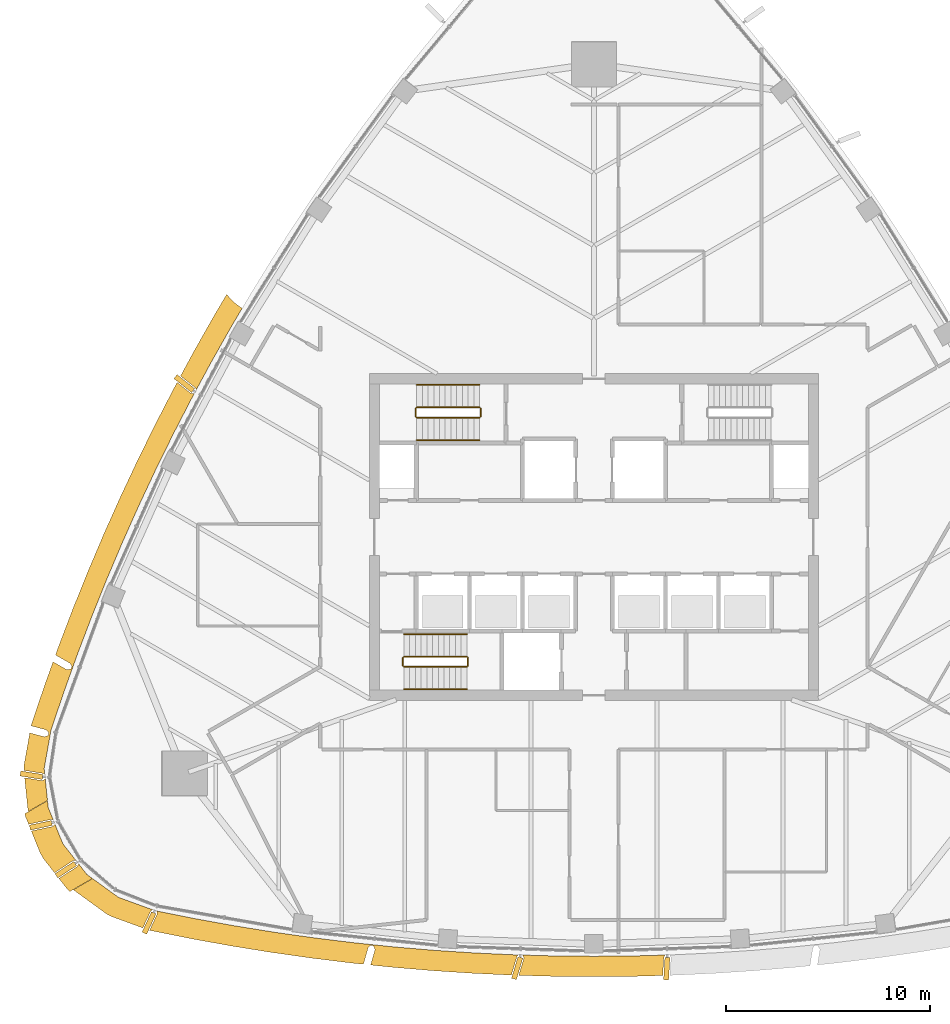
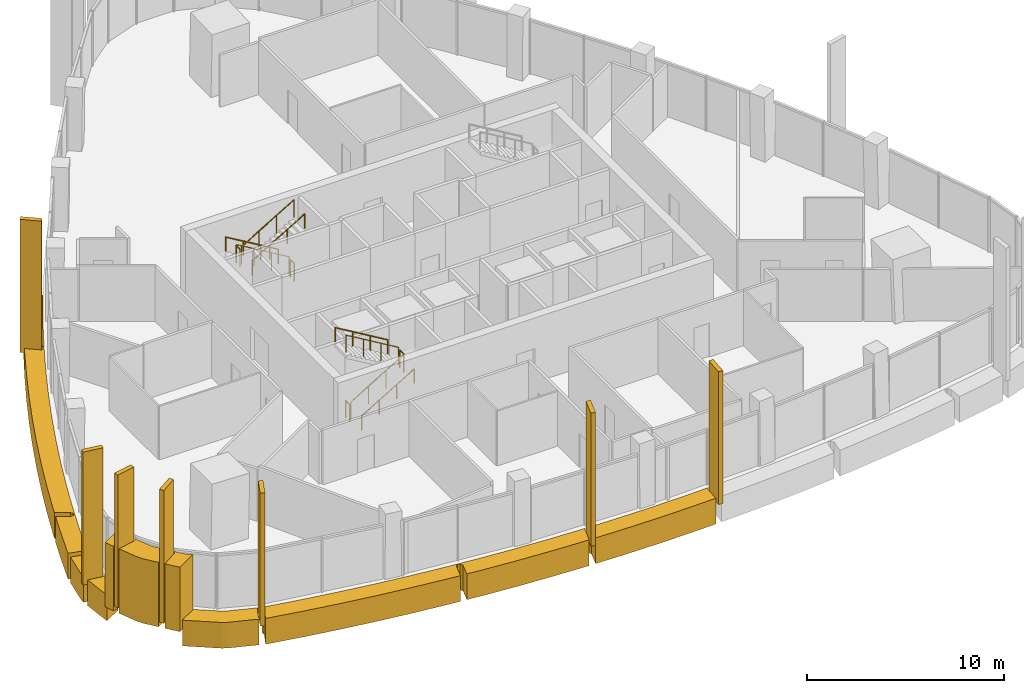
# One storey, part 16 of 19: 16 coverings, 12 railings.
"""IFC4 building model written with IfcOpenShell, lengths in metres."""

from ifc_helpers import new_model, si_unit, direction, frame, origin, origin_2d, place, context, subcontext, project, spatial, polyline, rectangle, circle, outline, extrude, material, layer, layer_set, material_profile, profile_set, type_object, element, save


model = new_model("IFC4")

# Units and contexts
model_context = context("Model", 3, precision=1e-05, world=origin(), true_north=direction((0.0, 1.0)))
body_context = subcontext(model_context, "Body", "Model", "MODEL_VIEW")
ifc_project = project(units=[si_unit("LENGTHUNIT", "METRE"), si_unit("AREAUNIT", "SQUARE_METRE"), si_unit("VOLUMEUNIT", "CUBIC_METRE"), si_unit("PLANEANGLEUNIT", "RADIAN"), si_unit("MASSUNIT", "GRAM", prefix="KILO")], contexts=[model_context])

# Site, building, storey
site_placement = place(None, origin())
site = spatial("IfcSite", under=ifc_project, at=site_placement, CompositionType="ELEMENT")
building_placement = place(site_placement, origin())
building = spatial("IfcBuilding", under=site, at=building_placement, Name="Sierra Prisma Convention Tower", CompositionType="ELEMENT")
storey_placement = place(building_placement, frame((0.0, 0.0, 311.0)))
storey = spatial("IfcBuildingStorey", under=building, at=storey_placement, Name="L71", CompositionType="ELEMENT", Elevation=311.0)

# Coverings
ifc_material_1 = material(Name="Aluminium composite bronze anodised", Category="aluminium")
ifc_layer_1 = layer(ifc_material_1, 1.199951171875)
ifc_layer_set_1 = layer_set([ifc_layer_1], Name="Bronze corner pier")
covering_type_1 = type_object("IfcCoveringType", Name="Bronze corner pier", PredefinedType="CLADDING", material=ifc_layer_set_1)
covering_1_placement = place(storey_placement, frame((0.0, 0.0, -0.60009765625)))
element("IfcCovering", 1, at=covering_1_placement, inside=storey, type_object=covering_type_1, Name="Corner pier SW L71.1", PredefinedType="CLADDING", context=body_context, shape_type="SweptSolid", body=[
    extrude(outline(polyline([(-27.11865234375, -15.463623046875), (-27.55078125, -14.392822265625), (-26.50830078125, -14.171630859375), (-26.503662109375, -14.17041015625), (-26.499267578125, -14.1689453125), (-26.4951171875, -14.1669921875), (-26.4912109375, -14.16455078125), (-26.4873046875, -14.161865234375), (-26.48388671875, -14.15869140625), (-26.480712890625, -14.1552734375), (-26.3935546875, -14.05419921875), (-26.005859375, -15.014404296875), (-25.37060546875, -15.826904296875), (-25.46826171875, -15.833251953125), (-25.473388671875, -15.833984375), (-25.478515625, -15.8349609375), (-25.4833984375, -15.836669921875), (-25.48779296875, -15.838623046875), (-25.492431640625, -15.84130859375), (-26.414306640625, -16.4404296875), (-26.951171875, -15.753662109375), (-27.11865234375, -15.463623046875)])), origin(), (0.0, 0.0, 1.0), 4.0),
])
covering_2_placement = place(storey_placement, frame((0.0, 0.0, -0.60009765625)))
element("IfcCovering", 2, at=covering_2_placement, inside=storey, type_object=covering_type_1, Name="Corner pier SW L71.2", PredefinedType="CLADDING", context=body_context, shape_type="SweptSolid", body=[
    extrude(outline(polyline([(-24.826904296875, -16.522216796875), (-24.556640625, -16.718017578125), (-25.66943359375, -17.360595703125), (-25.772216796875, -17.261474609375), (-26.19775390625, -16.71728515625), (-25.301513671875, -16.134765625), (-25.297607421875, -16.1318359375), (-25.293701171875, -16.12841796875), (-25.290283203125, -16.124755859375), (-25.287353515625, -16.12060546875), (-25.284912109375, -16.116455078125), (-25.28271484375, -16.11181640625), (-25.236083984375, -15.998779296875), (-24.826904296875, -16.522216796875)])), origin(), (0.0, 0.0, 1.0), 4.0),
])
covering_3_placement = place(storey_placement, frame((0.0, 0.0, -0.60009765625)))
element("IfcCovering", 3, at=covering_3_placement, inside=storey, type_object=covering_type_1, Name="Corner pier SW L71.3", PredefinedType="CLADDING", context=body_context, shape_type="SweptSolid", body=[
    extrude(outline(polyline([(-27.869384765625, -13.550048828125), (-26.756591796875, -12.90771484375), (-26.72216796875, -13.239501953125), (-26.475341796875, -13.851318359375), (-26.557861328125, -13.829833984375), (-26.5625, -13.828857421875), (-26.56689453125, -13.828369140625), (-26.571533203125, -13.828125), (-26.576416015625, -13.82861328125), (-26.580810546875, -13.8291015625), (-27.656982421875, -14.0576171875), (-27.66162109375, -14.058837890625), (-27.666259765625, -14.060546875), (-27.670654296875, -14.0625), (-27.6748046875, -14.065185546875), (-27.6787109375, -14.068115234375), (-27.680908203125, -14.0703125), (-27.8349609375, -13.688720703125), (-27.869384765625, -13.550048828125)])), origin(), (0.0, 0.0, 1.0), 4.0),
])
ifc_material_2 = material(Name="Aluminium 6063-T6 bronze anodised", Category="aluminium")
ifc_material_profile = material_profile(ifc_material_2, rectangle(XDim=1.10009765625, YDim=0.25, at=origin_2d()), Name="ALU FIN 1100x250")
ifc_profile_set = profile_set([ifc_material_profile], Name="Aluminium 6063-T6 bronze anodised")
covering_type_2 = type_object("IfcCoveringType", Name="Bronze facade fin", PredefinedType="CLADDING", material=ifc_profile_set)
for number, where, z_axis, x_axis, name in (
    (4, (-21.782470703125, -18.896484375, -0.300048828125), (0.0, 0.0, 1.0), (-0.420855200808, -0.907127829996, 0.0), "Fin L71.1"),
    (5, (-3.75732421875, -21.111083984375, -0.300048828125), (0.0, 0.0, 1.0), (-0.285991646595, -0.958232110753, 0.0), "Fin L71.8"),
    (6, (3.5673828125, -21.133056640625, -0.300048828125), (0.0, 0.0, 1.0), (-0.058990443947, -0.998258547433, 0.0), "Fin L71.11"),
    (7, (-20.057373046875, 7.515869140625, -0.300048828125), (0.0, 0.0, 1.0), (-0.783890001241, 0.620899722946, 0.0), "Fin L71.55"),
    (8, (-27.540771484375, -11.662109375, -0.300048828125), (0.0, 0.0, 1.0), (-0.987505161796, 0.157586660052, 0.0), "Fin L71.63"),
    (9, (-27.08251953125, -14.114501953125, -0.300048828125), (0.0, 0.0, 1.0), (-0.978228381219, -0.207531284816, 0.0), "Fin L71.64"),
    (10, (-25.858154296875, -16.287841796875, -0.300048828125), (0.0, 0.0, 1.0), (-0.838458700711, -0.544965143107, 0.0), "Fin L71.65"),
):
    element("IfcCovering", number, at=place(storey_placement, frame(where, z_axis=z_axis, x_axis=x_axis)), inside=storey, type_object=covering_type_2, Name=name, ObjectType="FIN", PredefinedType="CLADDING", context=body_context, shape_type="SweptSolid", body=[
        extrude(rectangle(XDim=1.10009765625, YDim=0.25, at=origin_2d()), origin(), (0.0, 0.0, 1.0), 8.25),
    ])
ifc_material_3 = material(Name="Aluminium composite bronze anodised", Category="aluminium")
ifc_layer_2 = layer(ifc_material_3, 1.0)
ifc_layer_set_2 = layer_set([ifc_layer_2], Name="Bronze spandrel band")
covering_type_3 = type_object("IfcCoveringType", Name="Bronze spandrel band", PredefinedType="CLADDING", material=ifc_layer_set_2)
covering_4_placement = place(storey_placement, frame((0.0, 0.0, -1.60009765625)))
element("IfcCovering", 11, at=covering_4_placement, inside=storey, type_object=covering_type_3, Name="Spandrel band L71.1", PredefinedType="CLADDING", context=body_context, shape_type="SweptSolid", body=[
    extrude(outline(polyline([(-26.7177734375, -9.693115234375), (-26.716552734375, -9.688232421875), (-26.698974609375, -9.58984375), (-26.698486328125, -9.585205078125), (-26.6982421875, -9.580078125), (-26.698486328125, -9.575439453125), (-26.699462890625, -9.570556640625), (-26.70068359375, -9.56591796875), (-26.702392578125, -9.561279296875), (-26.70458984375, -9.556884765625), (-26.70703125, -9.552978515625), (-26.7099609375, -9.549072265625), (-26.71337890625, -9.54541015625), (-26.8076171875, -9.452880859375), (-26.811279296875, -9.449462890625), (-26.8154296875, -9.446533203125), (-26.820068359375, -9.444091796875), (-26.82470703125, -9.44189453125), (-26.82958984375, -9.440185546875), (-27.559814453125, -9.242919921875), (-27.53125, -9.131591796875), (-26.901611328125, -7.2685546875), (-26.8955078125, -7.250732421875), (-26.485595703125, -6.10888671875), (-25.831787109375, -6.48291015625), (-25.82763671875, -6.485107421875), (-25.823486328125, -6.48681640625), (-25.81884765625, -6.488037109375), (-25.814453125, -6.489013671875), (-25.809814453125, -6.489501953125), (-25.80517578125, -6.489501953125), (-25.800537109375, -6.489013671875), (-25.642333984375, -6.46826171875), (-25.637451171875, -6.46728515625), (-25.6328125, -6.4658203125), (-25.628173828125, -6.464111328125), (-25.623779296875, -6.461669921875), (-25.619384765625, -6.458984375), (-25.615478515625, -6.455810546875), (-25.612060546875, -6.452392578125), (-25.60888671875, -6.448486328125), (-25.606201171875, -6.444580078125), (-25.603759765625, -6.440185546875), (-25.601806640625, -6.435546875), (-25.568115234375, -6.34130859375), (-25.566650390625, -6.33642578125), (-25.565673828125, -6.331298828125), (-25.565185546875, -6.326171875), (-25.565185546875, -6.321044921875), (-25.56591796875, -6.31591796875), (-25.56689453125, -6.310791015625), (-25.568603515625, -6.305908203125), (-25.57080078125, -6.30126953125), (-25.573486328125, -6.296875), (-25.64111328125, -6.19482421875), (-25.64404296875, -6.19091796875), (-25.647216796875, -6.1875), (-25.650390625, -6.184326171875), (-25.654296875, -6.181396484375), (-25.658203125, -6.178955078125), (-26.365478515625, -5.7744140625), (-26.23095703125, -5.39990234375), (-26.224365234375, -5.38232421875), (-25.525146484375, -3.54443359375), (-25.518310546875, -3.52685546875), (-24.784423828125, -1.702392578125), (-24.77734375, -1.68505859375), (-24.00927734375, 0.125244140625), (-24.001708984375, 0.142578125), (-23.199951171875, 1.93798828125), (-23.19189453125, 1.955078125), (-22.3564453125, 3.7353515625), (-22.348388671875, 3.752197265625), (-21.479248046875, 5.516357421875), (-21.470703125, 5.533203125), (-20.56884765625, 7.28076171875), (-20.56005859375, 7.29736328125), (-20.4111328125, 7.572998046875), (-19.73486328125, 7.037109375), (-19.731201171875, 7.034423828125), (-19.72705078125, 7.031982421875), (-19.722900390625, 7.0302734375), (-19.718505859375, 7.028564453125), (-19.714111328125, 7.02734375), (-19.70947265625, 7.026611328125), (-19.704833984375, 7.0263671875), (-19.571044921875, 7.023681640625), (-19.68017578125, 6.822021484375), (-20.582275390625, 5.074462890625), (-21.451171875, 3.310546875), (-22.286865234375, 1.5302734375), (-23.088623046875, -0.26513671875), (-23.856689453125, -2.075439453125), (-24.590576171875, -3.89990234375), (-25.289794921875, -5.738037109375), (-25.954345703125, -7.5888671875), (-26.583984375, -9.45166015625), (-26.919921875, -11.3359375), (-26.89013671875, -11.622802734375), (-26.95068359375, -11.58349609375), (-26.955322265625, -11.580810546875), (-26.960205078125, -11.57861328125), (-26.965087890625, -11.576904296875), (-26.97021484375, -11.575927734375), (-27.9140625, -11.42529296875), (-27.904541015625, -11.160400390625), (-27.6240234375, -9.588134765625), (-26.9208984375, -9.7783203125), (-26.916015625, -9.779296875), (-26.910888671875, -9.77978515625), (-26.906005859375, -9.77978515625), (-26.90087890625, -9.779296875), (-26.89599609375, -9.778564453125), (-26.89111328125, -9.777099609375), (-26.7490234375, -9.726806640625), (-26.74462890625, -9.724853515625), (-26.740478515625, -9.72265625), (-26.736572265625, -9.719970703125), (-26.732666015625, -9.717041015625), (-26.729248046875, -9.713623046875), (-26.726318359375, -9.7099609375), (-26.723388671875, -9.7060546875), (-26.72119140625, -9.701904296875), (-26.71923828125, -9.697509765625), (-26.7177734375, -9.693115234375)])), origin(), (0.0, 0.0, 1.0), 1.60009765625),
])
covering_5_placement = place(storey_placement, frame((0.0, 0.0, -1.60009765625)))
element("IfcCovering", 12, at=covering_5_placement, inside=storey, type_object=covering_type_3, Name="Spandrel band L71.2", PredefinedType="CLADDING", context=body_context, shape_type="SweptSolid", body=[
    extrude(outline(polyline([(-27.878662109375, -11.785400390625), (-27.025390625, -11.921630859375), (-27.0205078125, -11.922119140625), (-27.015380859375, -11.922119140625), (-27.010498046875, -11.921630859375), (-27.005615234375, -11.9208984375), (-27.000732421875, -11.91943359375), (-26.99609375, -11.91748046875), (-26.99169921875, -11.9150390625), (-26.867431640625, -11.8408203125), (-26.7578125, -12.896728515625), (-27.693603515625, -13.43701171875), (-27.716796875, -13.343017578125), (-27.878662109375, -11.785400390625)])), origin(), (0.0, 0.0, 1.0), 1.60009765625),
])
covering_6_placement = place(storey_placement, frame((0.0, 0.0, -1.60009765625)))
element("IfcCovering", 13, at=covering_6_placement, inside=storey, type_object=covering_type_3, Name="Spandrel band L71.3", PredefinedType="CLADDING", context=body_context, shape_type="SweptSolid", body=[
    extrude(outline(polyline([(-21.69775390625, -18.3076171875), (-21.701416015625, -18.31103515625), (-21.70458984375, -18.315185546875), (-21.70751953125, -18.3193359375), (-21.709716796875, -18.323974609375), (-22.087890625, -19.13916015625), (-23.617431640625, -18.585693359375), (-23.864013671875, -18.455078125), (-25.413818359375, -17.331787109375), (-25.4833984375, -17.264892578125), (-24.5478515625, -16.724609375), (-23.277099609375, -17.6455078125), (-21.6142578125, -18.2470703125), (-21.693603515625, -18.30419921875), (-21.69775390625, -18.3076171875)])), origin(), (0.0, 0.0, 1.0), 1.60009765625),
])
covering_7_placement = place(storey_placement, frame((0.0, 0.0, -1.60009765625)))
element("IfcCovering", 14, at=covering_7_placement, inside=storey, type_object=covering_type_3, Name="Spandrel band L71.4", PredefinedType="CLADDING", context=body_context, shape_type="SweptSolid", body=[
    extrude(outline(polyline([(-17.7783203125, 10.264404296875), (-18.745361328125, 8.552001953125), (-19.46728515625, 7.216064453125), (-19.503173828125, 7.29345703125), (-19.50537109375, 7.297607421875), (-19.5078125, 7.301513671875), (-19.5107421875, 7.30517578125), (-19.513916015625, 7.30859375), (-19.517578125, 7.3115234375), (-20.2421875, 7.885498046875), (-19.625244140625, 9.02734375), (-19.6162109375, 9.0439453125), (-18.64892578125, 10.756103515625), (-18.639404296875, 10.7724609375), (-17.98095703125, 11.888671875), (-17.849853515625, 11.7236328125), (-17.6787109375, 11.54638671875), (-17.490966796875, 11.386962890625), (-17.28857421875, 11.24658203125), (-17.222900390625, 11.20556640625), (-17.7783203125, 10.264404296875)])), origin(), (0.0, 0.0, 1.0), 1.60009765625),
])
covering_8_placement = place(storey_placement, frame((0.0, 0.0, -1.60009765625)))
element("IfcCovering", 15, at=covering_8_placement, inside=storey, type_object=covering_type_3, Name="Spandrel band L71.10", PredefinedType="CLADDING", context=body_context, shape_type="SweptSolid", body=[
    extrude(outline(polyline([(0.0, -20.528564453125), (1.96630859375, -20.510009765625), (3.486083984375, -20.467041015625), (3.43310546875, -20.549560546875), (3.4306640625, -20.553955078125), (3.428466796875, -20.55859375), (3.427001953125, -20.5634765625), (3.42578125, -20.568603515625), (3.42529296875, -20.573486328125), (3.372314453125, -21.470703125), (1.99462890625, -21.509765625), (1.975830078125, -21.510009765625), (0.009521484375, -21.528564453125), (-0.009521484375, -21.528564453125), (-1.975830078125, -21.510009765625), (-1.99462890625, -21.509765625), (-3.679443359375, -21.462158203125), (-3.432373046875, -20.634033203125), (-3.43115234375, -20.629150390625), (-3.430419921875, -20.624267578125), (-3.43017578125, -20.619384765625), (-3.430419921875, -20.6142578125), (-3.43115234375, -20.609375), (-3.4326171875, -20.6044921875), (-3.43408203125, -20.599853515625), (-3.491455078125, -20.467041015625), (-1.96630859375, -20.510009765625), (0.0, -20.528564453125)])), origin(), (0.0, 0.0, 1.0), 1.60009765625),
])
covering_9_placement = place(storey_placement, frame((0.0, 0.0, -1.60009765625)))
element("IfcCovering", 16, at=covering_9_placement, inside=storey, type_object=covering_type_3, Name="Spandrel band L71.11", PredefinedType="CLADDING", context=body_context, shape_type="SweptSolid", body=[
    extrude(outline(polyline([(-10.7900390625, -20.02734375), (-10.79345703125, -20.023681640625), (-10.797119140625, -20.020263671875), (-10.801025390625, -20.017333984375), (-10.80517578125, -20.0146484375), (-10.809814453125, -20.012451171875), (-10.814208984375, -20.0107421875), (-10.819091796875, -20.009521484375), (-10.82421875, -20.0087890625), (-10.923583984375, -19.99853515625), (-10.9287109375, -19.998291015625), (-10.933837890625, -19.99853515625), (-10.93896484375, -19.999267578125), (-10.944091796875, -20.00048828125), (-10.94873046875, -20.00244140625), (-10.953369140625, -20.004638671875), (-10.957763671875, -20.007568359375), (-10.9619140625, -20.0107421875), (-10.965576171875, -20.014404296875), (-11.04833984375, -20.1044921875), (-11.051513671875, -20.108154296875), (-11.053955078125, -20.112060546875), (-11.056396484375, -20.115966796875), (-11.05810546875, -20.120361328125), (-11.0595703125, -20.124755859375), (-11.286376953125, -20.9189453125), (-11.87744140625, -20.857421875), (-11.89599609375, -20.855224609375), (-13.847900390625, -20.615234375), (-13.86669921875, -20.61279296875), (-15.8134765625, -20.3359375), (-15.83203125, -20.333251953125), (-17.7734375, -20.02001953125), (-17.7919921875, -20.0166015625), (-19.727294921875, -19.666748046875), (-19.74560546875, -19.663330078125), (-21.673828125, -19.277099609375), (-21.755615234375, -19.254150390625), (-21.392333984375, -18.47119140625), (-21.390380859375, -18.466552734375), (-21.388916015625, -18.461669921875), (-21.38818359375, -18.456787109375), (-21.3876953125, -18.45166015625), (-21.3876953125, -18.446533203125), (-21.388427734375, -18.441650390625), (-21.4111328125, -18.309814453125), (-19.54931640625, -18.682861328125), (-17.614013671875, -19.03271484375), (-15.6728515625, -19.345947265625), (-13.725830078125, -19.622802734375), (-11.774169921875, -19.86279296875), (-9.818115234375, -20.066162109375), (-7.858642578125, -20.232421875), (-5.896484375, -20.362060546875), (-3.93212890625, -20.45458984375), (-3.710693359375, -20.460693359375), (-3.7578125, -20.515625), (-3.760986328125, -20.52001953125), (-3.763671875, -20.5244140625), (-3.765869140625, -20.529052734375), (-3.767578125, -20.533935546875), (-4.041259765625, -21.450439453125), (-5.943603515625, -21.36083984375), (-5.96240234375, -21.35986328125), (-7.924560546875, -21.230224609375), (-7.943359375, -21.22900390625), (-9.902587890625, -21.0625), (-9.92138671875, -21.060791015625), (-10.932861328125, -20.95556640625), (-10.72314453125, -20.220703125), (-10.721923828125, -20.21630859375), (-10.721435546875, -20.211669921875), (-10.72119140625, -20.20703125), (-10.721435546875, -20.202392578125), (-10.721923828125, -20.19775390625), (-10.72314453125, -20.193115234375), (-10.724609375, -20.188720703125), (-10.78271484375, -20.040283203125), (-10.78466796875, -20.035888671875), (-10.787109375, -20.031494140625), (-10.7900390625, -20.02734375)])), origin(), (0.0, 0.0, 1.0), 1.60009765625),
])

# Railings
ifc_material_4 = material(Name="Stainless steel", Category="steel")
railing_type_1 = type_object("IfcRailingType", Name="Exit stair handrail", PredefinedType="HANDRAIL", material=ifc_material_4)
railing_1_placement = place(storey_placement, frame((-9.300048828125, -7.449951171875, 0.166748046875)))
element("IfcRailing", 17, at=railing_1_placement, inside=storey, type_object=railing_type_1, Name="L71 S1 stair handrail 1", PredefinedType="HANDRAIL", context=body_context, shape_type="SweptSolid", body=[
    extrude(circle(Radius=0.02392578125, at=origin_2d()), frame((0.0, 0.0, 0.8759765625), z_axis=(0.859308565015, 0.0, 0.511457515432), x_axis=(0.0, 1.0, 0.0)), (0.0, 0.0, 1.0), 3.58447265625),
    extrude(circle(Radius=0.02099609375, at=origin_2d()), origin(), (0.0, 0.0, 1.0), 0.851806640625),
    extrude(circle(Radius=0.02099609375, at=origin_2d()), frame((1.026611328125, 0.0, 0.611083984375)), (0.0, 0.0, 1.0), 0.851806640625),
    extrude(circle(Radius=0.02099609375, at=origin_2d()), frame((2.053466796875, 0.0, 1.22216796875)), (0.0, 0.0, 1.0), 0.851806640625),
    extrude(circle(Radius=0.02099609375, at=origin_2d()), frame((3.080078125, 0.0, 1.833251953125)), (0.0, 0.0, 1.0), 0.851806640625),
])
railing_2_placement = place(storey_placement, frame((-6.219970703125, -4.75, 2.166748046875)))
element("IfcRailing", 18, at=railing_2_placement, inside=storey, type_object=railing_type_1, Name="L71 S1 stair handrail 2", PredefinedType="HANDRAIL", context=body_context, shape_type="SweptSolid", body=[
    extrude(circle(Radius=0.02392578125, at=origin_2d()), frame((0.0, 0.0, 0.8759765625), z_axis=(-0.859308565015, 0.0, 0.511457515432), x_axis=(0.0, -1.0, 0.0)), (0.0, 0.0, 1.0), 3.58447265625),
    extrude(circle(Radius=0.02099609375, at=origin_2d()), origin(), (0.0, 0.0, 1.0), 0.851806640625),
    extrude(circle(Radius=0.02099609375, at=origin_2d()), frame((-1.026611328125, 0.0, 0.611083984375)), (0.0, 0.0, 1.0), 0.851806640625),
    extrude(circle(Radius=0.02099609375, at=origin_2d()), frame((-2.053466796875, 0.0, 1.22216796875)), (0.0, 0.0, 1.0), 0.851806640625),
    extrude(circle(Radius=0.02099609375, at=origin_2d()), frame((-3.080078125, 0.0, 1.833251953125)), (0.0, 0.0, 1.0), 0.851806640625),
])
railing_3_placement = place(storey_placement, frame((-5.60009765625, 7.449951171875, 0.166748046875)))
element("IfcRailing", 19, at=railing_3_placement, inside=storey, type_object=railing_type_1, Name="L71 S3 stair handrail 1", PredefinedType="HANDRAIL", context=body_context, shape_type="SweptSolid", body=[
    extrude(circle(Radius=0.02392578125, at=origin_2d()), frame((0.0, 0.0, 0.8759765625), z_axis=(-0.859290745958, 0.0, 0.51148745235), x_axis=(0.0, -1.0, 0.0)), (0.0, 0.0, 1.0), 3.584228515625),
    extrude(circle(Radius=0.02099609375, at=origin_2d()), origin(), (0.0, 0.0, 1.0), 0.851806640625),
    extrude(circle(Radius=0.02099609375, at=origin_2d()), frame((-1.026611328125, 0.0, 0.611083984375)), (0.0, 0.0, 1.0), 0.851806640625),
    extrude(circle(Radius=0.02099609375, at=origin_2d()), frame((-2.05322265625, 0.0, 1.22216796875)), (0.0, 0.0, 1.0), 0.851806640625),
    extrude(circle(Radius=0.02099609375, at=origin_2d()), frame((-3.079833984375, 0.0, 1.833251953125)), (0.0, 0.0, 1.0), 0.851806640625),
])
railing_4_placement = place(storey_placement, frame((-8.679931640625, 4.75, 2.166748046875)))
element("IfcRailing", 20, at=railing_4_placement, inside=storey, type_object=railing_type_1, Name="L71 S3 stair handrail 2", PredefinedType="HANDRAIL", context=body_context, shape_type="SweptSolid", body=[
    extrude(circle(Radius=0.02392578125, at=origin_2d()), frame((0.0, 0.0, 0.8759765625), z_axis=(0.859290745958, 0.0, 0.51148745235), x_axis=(0.0, 1.0, 0.0)), (0.0, 0.0, 1.0), 3.584228515625),
    extrude(circle(Radius=0.02099609375, at=origin_2d()), origin(), (0.0, 0.0, 1.0), 0.851806640625),
    extrude(circle(Radius=0.02099609375, at=origin_2d()), frame((1.026611328125, 0.0, 0.611083984375)), (0.0, 0.0, 1.0), 0.851806640625),
    extrude(circle(Radius=0.02099609375, at=origin_2d()), frame((2.05322265625, 0.0, 1.22216796875)), (0.0, 0.0, 1.0), 0.851806640625),
    extrude(circle(Radius=0.02099609375, at=origin_2d()), frame((3.079833984375, 0.0, 1.833251953125)), (0.0, 0.0, 1.0), 0.851806640625),
])
ifc_material_5 = material(Name="Stainless steel", Category="steel")
railing_type_2 = type_object("IfcRailingType", Name="Stair guard 1100", PredefinedType="GUARDRAIL", material=ifc_material_5)
railing_5_placement = place(storey_placement, frame((-9.300048828125, -6.35009765625, 0.166748046875)))
element("IfcRailing", 21, at=railing_5_placement, inside=storey, type_object=railing_type_2, Name="L71 S1 stair guard 1", PredefinedType="GUARDRAIL", context=body_context, shape_type="SweptSolid", body=[
    extrude(circle(Radius=0.02392578125, at=origin_2d()), frame((0.0, 0.0, 1.076171875), z_axis=(0.859308565015, 0.0, 0.511457515432), x_axis=(0.0, 1.0, 0.0)), (0.0, 0.0, 1.0), 3.58447265625),
    extrude(circle(Radius=0.02099609375, at=origin_2d()), origin(), (0.0, 0.0, 1.0), 1.052001953125),
    extrude(circle(Radius=0.02099609375, at=origin_2d()), frame((1.026611328125, 0.0, 0.611083984375)), (0.0, 0.0, 1.0), 1.052001953125),
    extrude(circle(Radius=0.02099609375, at=origin_2d()), frame((2.053466796875, 0.0, 1.22216796875)), (0.0, 0.0, 1.0), 1.052001953125),
    extrude(circle(Radius=0.02099609375, at=origin_2d()), frame((3.080078125, 0.0, 1.833251953125)), (0.0, 0.0, 1.0), 1.052001953125),
])
railing_6_placement = place(storey_placement, frame((-6.169921875, -6.300048828125, 2.0)))
element("IfcRailing", 22, at=railing_6_placement, inside=storey, type_object=railing_type_2, Name="L71 S1 stair guard 2", PredefinedType="GUARDRAIL", context=body_context, shape_type="SweptSolid", body=[
    extrude(circle(Radius=0.02392578125, at=origin_2d()), frame((0.0, 0.0, 1.076171875), z_axis=(0.0, 1.0, 0.0), x_axis=(-1.0, 0.0, 0.0)), (0.0, 0.0, 1.0), 0.400146484375),
    extrude(circle(Radius=0.02099609375, at=origin_2d()), origin(), (0.0, 0.0, 1.0), 1.052001953125),
    extrude(circle(Radius=0.02099609375, at=origin_2d()), frame((0.0, 0.400146484375, 0.0)), (0.0, 0.0, 1.0), 1.052001953125),
])
railing_7_placement = place(storey_placement, frame((-6.219970703125, -5.85009765625, 2.166748046875)))
element("IfcRailing", 23, at=railing_7_placement, inside=storey, type_object=railing_type_2, Name="L71 S1 stair guard 3", PredefinedType="GUARDRAIL", context=body_context, shape_type="SweptSolid", body=[
    extrude(circle(Radius=0.02392578125, at=origin_2d()), frame((0.0, 0.0, 1.076171875), z_axis=(-0.859308565015, 0.0, 0.511457515432), x_axis=(0.0, -1.0, 0.0)), (0.0, 0.0, 1.0), 3.58447265625),
    extrude(circle(Radius=0.02099609375, at=origin_2d()), origin(), (0.0, 0.0, 1.0), 1.052001953125),
    extrude(circle(Radius=0.02099609375, at=origin_2d()), frame((-1.026611328125, 0.0, 0.611083984375)), (0.0, 0.0, 1.0), 1.052001953125),
    extrude(circle(Radius=0.02099609375, at=origin_2d()), frame((-2.053466796875, 0.0, 1.22216796875)), (0.0, 0.0, 1.0), 1.052001953125),
    extrude(circle(Radius=0.02099609375, at=origin_2d()), frame((-3.080078125, 0.0, 1.833251953125)), (0.0, 0.0, 1.0), 1.052001953125),
])
railing_8_placement = place(storey_placement, frame((-9.35009765625, -6.300048828125, 0.0)))
element("IfcRailing", 24, at=railing_8_placement, inside=storey, type_object=railing_type_2, Name="L71 S1 stair guard 4", PredefinedType="GUARDRAIL", context=body_context, shape_type="SweptSolid", body=[
    extrude(circle(Radius=0.02392578125, at=origin_2d()), frame((0.0, 0.0, 1.076171875), z_axis=(0.0, 1.0, 0.0), x_axis=(-1.0, 0.0, 0.0)), (0.0, 0.0, 1.0), 0.400146484375),
    extrude(circle(Radius=0.02099609375, at=origin_2d()), origin(), (0.0, 0.0, 1.0), 1.052001953125),
    extrude(circle(Radius=0.02099609375, at=origin_2d()), frame((0.0, 0.400146484375, 0.0)), (0.0, 0.0, 1.0), 1.052001953125),
])
railing_9_placement = place(storey_placement, frame((-5.60009765625, 6.35009765625, 0.166748046875)))
element("IfcRailing", 25, at=railing_9_placement, inside=storey, type_object=railing_type_2, Name="L71 S3 stair guard 1", PredefinedType="GUARDRAIL", context=body_context, shape_type="SweptSolid", body=[
    extrude(circle(Radius=0.02392578125, at=origin_2d()), frame((0.0, 0.0, 1.076171875), z_axis=(-0.859290745958, 0.0, 0.51148745235), x_axis=(0.0, -1.0, 0.0)), (0.0, 0.0, 1.0), 3.584228515625),
    extrude(circle(Radius=0.02099609375, at=origin_2d()), origin(), (0.0, 0.0, 1.0), 1.052001953125),
    extrude(circle(Radius=0.02099609375, at=origin_2d()), frame((-1.026611328125, 0.0, 0.611083984375)), (0.0, 0.0, 1.0), 1.052001953125),
    extrude(circle(Radius=0.02099609375, at=origin_2d()), frame((-2.05322265625, 0.0, 1.22216796875)), (0.0, 0.0, 1.0), 1.052001953125),
    extrude(circle(Radius=0.02099609375, at=origin_2d()), frame((-3.079833984375, 0.0, 1.833251953125)), (0.0, 0.0, 1.0), 1.052001953125),
])
railing_10_placement = place(storey_placement, frame((-8.72998046875, 6.300048828125, 2.0)))
element("IfcRailing", 26, at=railing_10_placement, inside=storey, type_object=railing_type_2, Name="L71 S3 stair guard 2", PredefinedType="GUARDRAIL", context=body_context, shape_type="SweptSolid", body=[
    extrude(circle(Radius=0.02392578125, at=origin_2d()), frame((0.0, 0.0, 1.076171875), z_axis=(0.0, -1.0, 0.0), x_axis=(1.0, 0.0, 0.0)), (0.0, 0.0, 1.0), 0.400146484375),
    extrude(circle(Radius=0.02099609375, at=origin_2d()), origin(), (0.0, 0.0, 1.0), 1.052001953125),
    extrude(circle(Radius=0.02099609375, at=origin_2d()), frame((0.0, -0.400146484375, 0.0)), (0.0, 0.0, 1.0), 1.052001953125),
])
railing_11_placement = place(storey_placement, frame((-8.679931640625, 5.85009765625, 2.166748046875)))
element("IfcRailing", 27, at=railing_11_placement, inside=storey, type_object=railing_type_2, Name="L71 S3 stair guard 3", PredefinedType="GUARDRAIL", context=body_context, shape_type="SweptSolid", body=[
    extrude(circle(Radius=0.02392578125, at=origin_2d()), frame((0.0, 0.0, 1.076171875), z_axis=(0.859290745958, 0.0, 0.51148745235), x_axis=(0.0, 1.0, 0.0)), (0.0, 0.0, 1.0), 3.584228515625),
    extrude(circle(Radius=0.02099609375, at=origin_2d()), origin(), (0.0, 0.0, 1.0), 1.052001953125),
    extrude(circle(Radius=0.02099609375, at=origin_2d()), frame((1.026611328125, 0.0, 0.611083984375)), (0.0, 0.0, 1.0), 1.052001953125),
    extrude(circle(Radius=0.02099609375, at=origin_2d()), frame((2.05322265625, 0.0, 1.22216796875)), (0.0, 0.0, 1.0), 1.052001953125),
    extrude(circle(Radius=0.02099609375, at=origin_2d()), frame((3.079833984375, 0.0, 1.833251953125)), (0.0, 0.0, 1.0), 1.052001953125),
])
railing_12_placement = place(storey_placement, frame((-5.550048828125, 6.300048828125, 0.0)))
element("IfcRailing", 28, at=railing_12_placement, inside=storey, type_object=railing_type_2, Name="L71 S3 stair guard 4", PredefinedType="GUARDRAIL", context=body_context, shape_type="SweptSolid", body=[
    extrude(circle(Radius=0.02392578125, at=origin_2d()), frame((0.0, 0.0, 1.076171875), z_axis=(0.0, -1.0, 0.0), x_axis=(1.0, 0.0, 0.0)), (0.0, 0.0, 1.0), 0.400146484375),
    extrude(circle(Radius=0.02099609375, at=origin_2d()), origin(), (0.0, 0.0, 1.0), 1.052001953125),
    extrude(circle(Radius=0.02099609375, at=origin_2d()), frame((0.0, -0.400146484375, 0.0)), (0.0, 0.0, 1.0), 1.052001953125),
])

save(model, "model.ifc")
